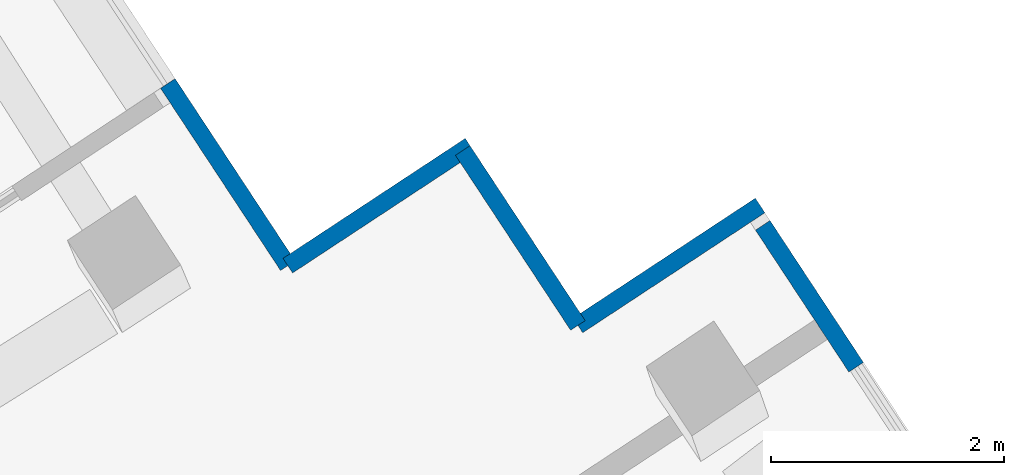
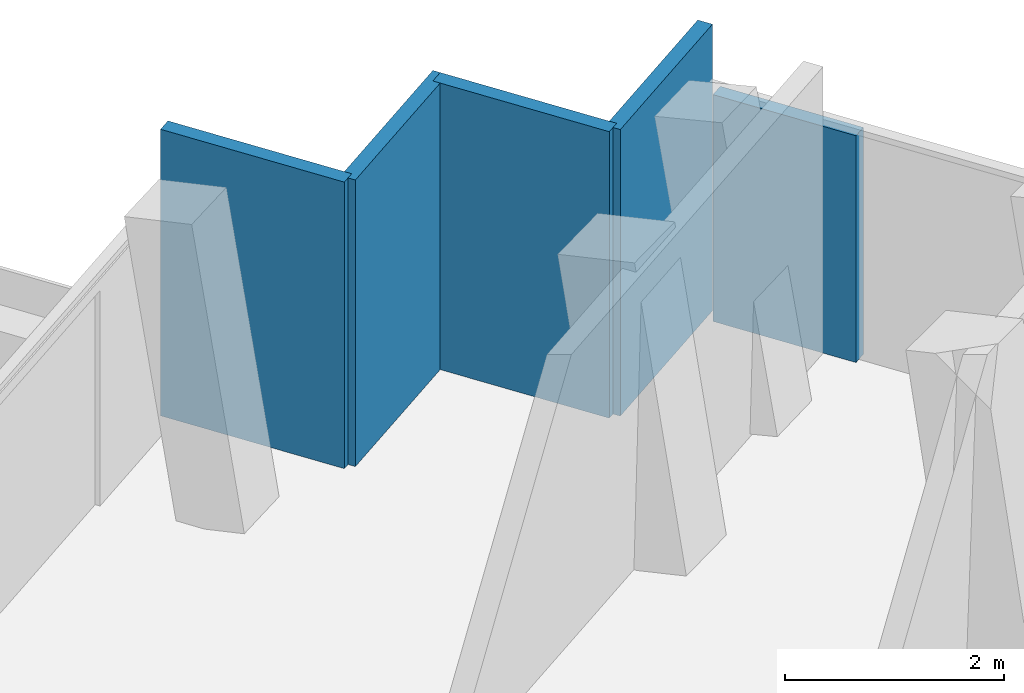
# One storey, part 23 of 26: 5 walls.
"""IFC4 building model written with IfcOpenShell, lengths in metres."""

from ifc_helpers import new_model, si_unit, direction, frame, frame_2d, origin, place, context, subcontext, project, spatial, rectangle, extrude, material, layer, layer_set, type_object, element, save


model = new_model("IFC4")

# Units and contexts
model_context = context("Model", 3, precision=1e-05, world=origin(), true_north=direction((0.0, 1.0)))
body_context = subcontext(model_context, "Body", "Model", "MODEL_VIEW")
ifc_project = project(units=[si_unit("LENGTHUNIT", "METRE"), si_unit("AREAUNIT", "SQUARE_METRE"), si_unit("VOLUMEUNIT", "CUBIC_METRE"), si_unit("PLANEANGLEUNIT", "RADIAN"), si_unit("MASSUNIT", "GRAM", prefix="KILO")], contexts=[model_context])

# Site, building, storey
site_placement = place(None, origin())
site = spatial("IfcSite", under=ifc_project, at=site_placement, CompositionType="ELEMENT")
building_placement = place(site_placement, origin())
building = spatial("IfcBuilding", under=site, at=building_placement, Name="Verdalira Terraces Hotel", CompositionType="ELEMENT")
storey_placement = place(building_placement, frame((0.0, 0.0, 291.5)))
storey = spatial("IfcBuildingStorey", under=building, at=storey_placement, Name="L72", CompositionType="ELEMENT", Elevation=291.5)

# Walls
ifc_material_1 = material(Name="Terracotta cladding", Category="masonry")
ifc_layer_1 = layer(ifc_material_1, 0.14990234375)
ifc_layer_set_1 = layer_set([ifc_layer_1], Name="Terracotta clad wall 150")
wall_type_1 = type_object("IfcWallType", Name="Terracotta clad wall 150", PredefinedType="SOLIDWALL", material=ifc_layer_set_1)
wall_1_placement = place(storey_placement, frame((34.700439, 26.228271, 0.0), z_axis=(0.0, 0.0, 1.0), x_axis=(-0.835221922, -0.54991303, 0.0)))
element("IfcWall", 1, at=wall_1_placement, inside=storey, type_object=wall_type_1, Name="Terracotta cladding wall", PredefinedType="SOLIDWALL", context=body_context, shape_type="SweptSolid", body=[
    extrude(rectangle(XDim=1.874756, YDim=0.149902, at=frame_2d((0.9375, 0.0))), origin(), (0.0, 0.0, 1.0), 3.189941),
])
wall_2_placement = place(storey_placement, frame((33.134521, 25.197266, 0.0), z_axis=(0.0, 0.0, 1.0), x_axis=(-0.549965189, 0.835187579, 0.0)))
element("IfcWall", 2, at=wall_2_placement, inside=storey, type_object=wall_type_1, Name="Terracotta cladding wall", PredefinedType="SOLIDWALL", context=body_context, shape_type="SweptSolid", body=[
    extrude(rectangle(XDim=1.800049, YDim=0.149902, at=frame_2d((0.899902, 0.0))), origin(), (0.0, 0.0, 1.0), 3.189941),
])
wall_3_placement = place(storey_placement, frame((32.207275, 26.741943, 0.0), z_axis=(0.0, 0.0, 1.0), x_axis=(-0.835261294, -0.549853226, 0.0)))
element("IfcWall", 3, at=wall_3_placement, inside=storey, type_object=wall_type_1, Name="Terracotta cladding wall", PredefinedType="SOLIDWALL", context=body_context, shape_type="SweptSolid", body=[
    extrude(rectangle(XDim=1.875, YDim=0.149902, at=frame_2d((0.9375, 0.0))), origin(), (0.0, 0.0, 1.0), 3.189941),
])
wall_4_placement = place(storey_placement, frame((30.641113, 25.710938, 0.0), z_axis=(0.0, 0.0, 1.0), x_axis=(-0.54991303, 0.835221922, 0.0)))
element("IfcWall", 4, at=wall_4_placement, inside=storey, type_object=wall_type_1, Name="Terracotta cladding wall", PredefinedType="SOLIDWALL", context=body_context, shape_type="SweptSolid", body=[
    extrude(rectangle(XDim=1.874756, YDim=0.149902, at=frame_2d((0.9375, 0.0))), origin(), (0.0, 0.0, 1.0), 3.189941),
])
ifc_material_2 = material(Name="Terracotta cladding", Category="masonry")
ifc_layer_2 = layer(ifc_material_2, 0.14990234375)
ifc_layer_set_2 = layer_set([ifc_layer_2], Name="Terracotta column pier 150")
wall_type_2 = type_object("IfcWallType", Name="Terracotta column pier 150", PredefinedType="SOLIDWALL", material=ifc_layer_set_2)
wall_5_placement = place(storey_placement, frame((35.525879, 24.838135, 0.0), z_axis=(0.0, 0.0, 1.0), x_axis=(-0.549828402, 0.835277636, 0.0)))
element("IfcWall", 5, at=wall_5_placement, inside=storey, type_object=wall_type_2, Name="Terracotta column pier", PredefinedType="SOLIDWALL", context=body_context, shape_type="SweptSolid", body=[
    extrude(rectangle(XDim=1.459961, YDim=0.149902, at=frame_2d((0.72998, 0.0))), origin(), (0.0, 0.0, 1.0), 2.524902),
])

save(model, "model.ifc")
